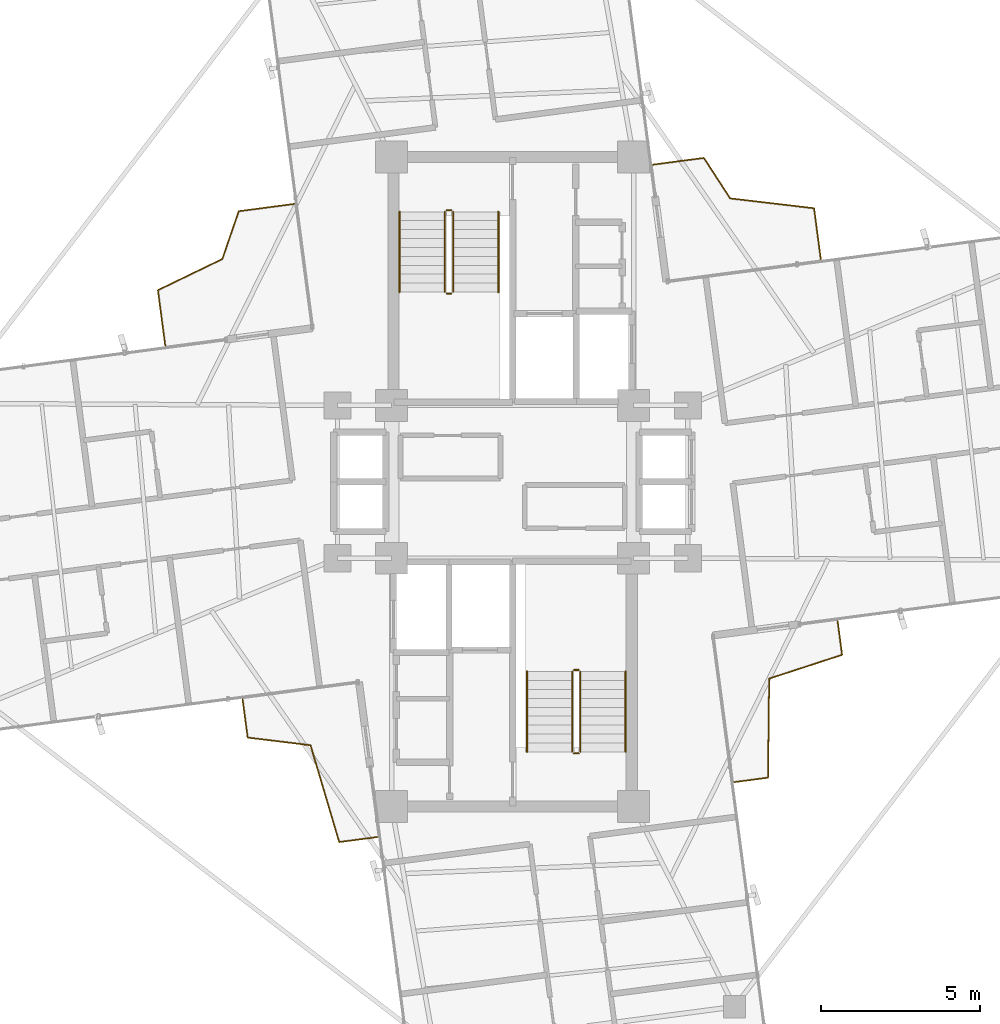
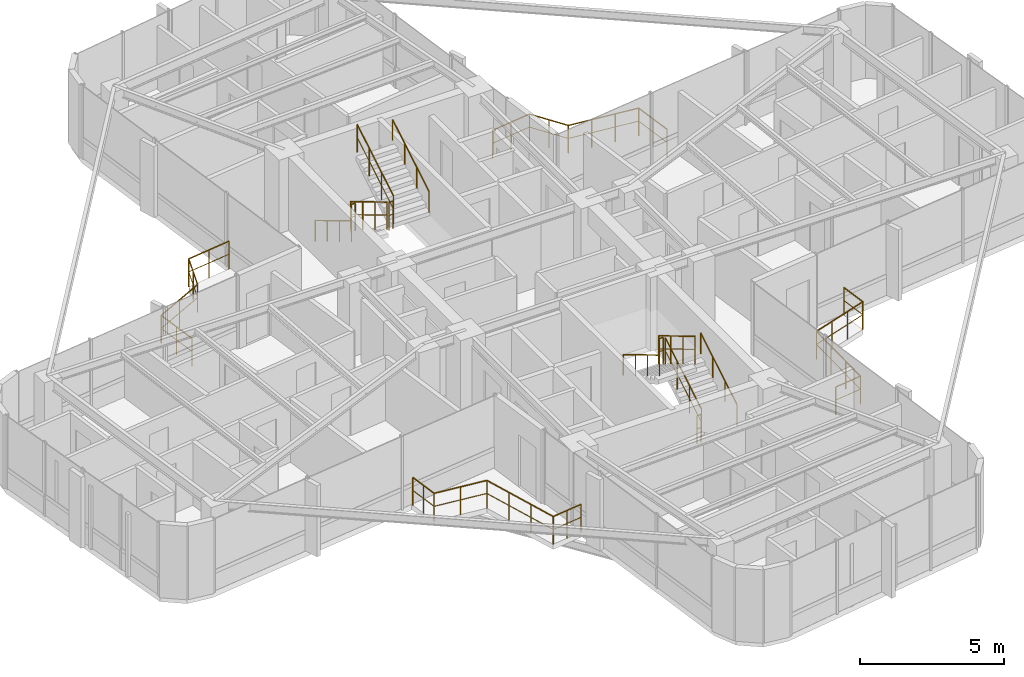
# One storey, part 23 of 23: 16 railings.
"""IFC4 building model written with IfcOpenShell, lengths in metres."""

from ifc_helpers import new_model, si_unit, direction, frame, origin, origin_2d, place, context, subcontext, project, spatial, circle, extrude, material, type_object, element, save


model = new_model("IFC4")

# Units and contexts
model_context = context("Model", 3, precision=1e-05, world=origin(), true_north=direction((0.0, 1.0)))
body_context = subcontext(model_context, "Body", "Model", "MODEL_VIEW")
ifc_project = project(units=[si_unit("LENGTHUNIT", "METRE"), si_unit("AREAUNIT", "SQUARE_METRE"), si_unit("VOLUMEUNIT", "CUBIC_METRE"), si_unit("PLANEANGLEUNIT", "RADIAN"), si_unit("MASSUNIT", "GRAM", prefix="KILO")], contexts=[model_context])

# Site, building, storey
site_placement = place(None, origin())
site = spatial("IfcSite", under=ifc_project, at=site_placement, CompositionType="ELEMENT")
building_placement = place(site_placement, origin())
building = spatial("IfcBuilding", under=site, at=building_placement, Name="Sahyath Konkavel Grand Hotel", CompositionType="ELEMENT")
storey_placement = place(building_placement, frame((0.0, 0.0, 254.550048828125)))
storey = spatial("IfcBuildingStorey", under=building, at=storey_placement, Name="L71", CompositionType="ELEMENT", Elevation=254.550048828125)

# Railings
ifc_material_1 = material(Name="Anodised Bronze Aluminium", Category="aluminium")
railing_type_1 = type_object("IfcRailingType", Name="RLG-BALC-1200", PredefinedType="GUARDRAIL", material=ifc_material_1)
railing_1_placement = place(storey_placement, frame((9.677734375, 6.987060546875, 0.0)))
element("IfcRailing", 1, at=railing_1_placement, inside=storey, type_object=railing_type_1, Name="L71 Winter-Garden Guard NE", PredefinedType="GUARDRAIL", context=body_context, shape_type="SweptSolid", body=[
    extrude(circle(Radius=0.02392578125, at=origin_2d()), frame((-0.000244140625, 0.001953125, 1.17578125), z_axis=(-0.130403757087, 0.991460972574, 0.0), x_axis=(-0.991460972574, -0.130403757087, 0.0)), (0.0, 0.0, 1.0), 1.613525390625),
    extrude(circle(Radius=0.01416015625, at=origin_2d()), frame((-0.000244140625, 0.001953125, 0.6240234375), z_axis=(-0.130403757087, 0.991460972574, 0.0), x_axis=(-0.991460972574, -0.130403757087, 0.0)), (0.0, 0.0, 1.0), 1.613525390625),
    extrude(circle(Radius=0.02392578125, at=origin_2d()), frame((-0.212890625, 1.60400390625, 1.17578125), z_axis=(-0.99312232426, 0.11708137792, 0.0), x_axis=(-0.11708137792, -0.99312232426, 0.0)), (0.0, 0.0, 1.0), 2.650390625),
    extrude(circle(Radius=0.01416015625, at=origin_2d()), frame((-0.212890625, 1.60400390625, 0.6240234375), z_axis=(-0.99312232426, 0.11708137792, 0.0), x_axis=(-0.11708137792, -0.99312232426, 0.0)), (0.0, 0.0, 1.0), 2.650390625),
    extrude(circle(Radius=0.02392578125, at=origin_2d()), frame((-2.84814453125, 1.916259765625, 1.17578125), z_axis=(-0.544767390458, 0.83858719898, 0.0), x_axis=(-0.83858719898, -0.544767390458, 0.0)), (0.0, 0.0, 1.0), 1.5107421875),
    extrude(circle(Radius=0.01416015625, at=origin_2d()), frame((-2.84814453125, 1.916259765625, 0.6240234375), z_axis=(-0.544767390458, 0.83858719898, 0.0), x_axis=(-0.83858719898, -0.544767390458, 0.0)), (0.0, 0.0, 1.0), 1.5107421875),
    extrude(circle(Radius=0.02392578125, at=origin_2d()), frame((-3.67431640625, 3.1845703125, 1.17578125), z_axis=(-0.991441448047, -0.130552116389, 0.0), x_axis=(0.130552116389, -0.991441448047, 0.0)), (0.0, 0.0, 1.0), 1.613525390625),
    extrude(circle(Radius=0.01416015625, at=origin_2d()), frame((-3.67431640625, 3.1845703125, 0.6240234375), z_axis=(-0.991441448047, -0.130552116389, 0.0), x_axis=(0.130552116389, -0.991441448047, 0.0)), (0.0, 0.0, 1.0), 1.613525390625),
    extrude(circle(Radius=0.02099609375, at=origin_2d()), origin(), (0.0, 0.0, 1.0), 1.15185546875),
    extrude(circle(Radius=0.02099609375, at=origin_2d()), frame((-0.10546875, 0.8017578125, 0.0)), (0.0, 0.0, 1.0), 1.15185546875),
    extrude(circle(Radius=0.02099609375, at=origin_2d()), frame((-0.2109375, 1.603759765625, 0.0)), (0.0, 0.0, 1.0), 1.15185546875),
    extrude(circle(Radius=0.02099609375, at=origin_2d()), frame((-1.089599609375, 1.707275390625, 0.0)), (0.0, 0.0, 1.0), 1.15185546875),
    extrude(circle(Radius=0.02099609375, at=origin_2d()), frame((-1.968505859375, 1.81103515625, 0.0)), (0.0, 0.0, 1.0), 1.15185546875),
    extrude(circle(Radius=0.02099609375, at=origin_2d()), frame((-2.84716796875, 1.91455078125, 0.0)), (0.0, 0.0, 1.0), 1.15185546875),
    extrude(circle(Radius=0.02099609375, at=origin_2d()), frame((-3.259765625, 2.5498046875, 0.0)), (0.0, 0.0, 1.0), 1.15185546875),
    extrude(circle(Radius=0.02099609375, at=origin_2d()), frame((-3.67236328125, 3.184814453125, 0.0)), (0.0, 0.0, 1.0), 1.15185546875),
    extrude(circle(Radius=0.02099609375, at=origin_2d()), frame((-4.47412109375, 3.0791015625, 0.0)), (0.0, 0.0, 1.0), 1.15185546875),
    extrude(circle(Radius=0.02099609375, at=origin_2d()), frame((-5.276123046875, 2.9736328125, 0.0)), (0.0, 0.0, 1.0), 1.15185546875),
])
railing_2_placement = place(storey_placement, frame((-6.86181640625, 8.72705078125, 0.0)))
element("IfcRailing", 2, at=railing_2_placement, inside=storey, type_object=railing_type_1, Name="L71 Winter-Garden Guard NW", PredefinedType="GUARDRAIL", context=body_context, shape_type="SweptSolid", body=[
    extrude(circle(Radius=0.02392578125, at=origin_2d()), frame((-0.001953125, -0.000244140625, 1.17578125), z_axis=(-0.991446251103, -0.130515635747, 0.0), x_axis=(0.130515635747, -0.991446251103, 0.0)), (0.0, 0.0, 1.0), 1.75244140625),
    extrude(circle(Radius=0.01416015625, at=origin_2d()), frame((-0.001953125, -0.000244140625, 0.6240234375), z_axis=(-0.991446251103, -0.130515635747, 0.0), x_axis=(0.130515635747, -0.991446251103, 0.0)), (0.0, 0.0, 1.0), 1.75244140625),
    extrude(circle(Radius=0.02392578125, at=origin_2d()), frame((-1.7421875, -0.231201171875, 1.17578125), z_axis=(-0.324568139383, -0.945862317093, 0.0), x_axis=(0.945862317093, -0.324568139383, 0.0)), (0.0, 0.0, 1.0), 1.583251953125),
    extrude(circle(Radius=0.01416015625, at=origin_2d()), frame((-1.7421875, -0.231201171875, 0.6240234375), z_axis=(-0.324568139383, -0.945862317093, 0.0), x_axis=(0.945862317093, -0.324568139383, 0.0)), (0.0, 0.0, 1.0), 1.583251953125),
    extrude(circle(Radius=0.02392578125, at=origin_2d()), frame((-2.25830078125, -1.7314453125, 1.17578125), z_axis=(-0.900133138598, -0.435614890468, 0.0), x_axis=(0.435614890468, -0.900133138598, 0.0)), (0.0, 0.0, 1.0), 2.242919921875),
    extrude(circle(Radius=0.01416015625, at=origin_2d()), frame((-2.25830078125, -1.7314453125, 0.6240234375), z_axis=(-0.900133138598, -0.435614890468, 0.0), x_axis=(0.435614890468, -0.900133138598, 0.0)), (0.0, 0.0, 1.0), 2.242919921875),
    extrude(circle(Radius=0.02392578125, at=origin_2d()), frame((-4.27880859375, -2.711181640625, 1.17578125), z_axis=(0.130515635747, -0.991446251103, 0.0), x_axis=(0.991446251103, 0.130515635747, 0.0)), (0.0, 0.0, 1.0), 1.75244140625),
    extrude(circle(Radius=0.01416015625, at=origin_2d()), frame((-4.27880859375, -2.711181640625, 0.6240234375), z_axis=(0.130515635747, -0.991446251103, 0.0), x_axis=(0.991446251103, 0.130515635747, 0.0)), (0.0, 0.0, 1.0), 1.75244140625),
    extrude(circle(Radius=0.02099609375, at=origin_2d()), origin(), (0.0, 0.0, 1.0), 1.15185546875),
    extrude(circle(Radius=0.02099609375, at=origin_2d()), frame((-0.87060546875, -0.11474609375, 0.0)), (0.0, 0.0, 1.0), 1.15185546875),
    extrude(circle(Radius=0.02099609375, at=origin_2d()), frame((-1.741455078125, -0.229248046875, 0.0)), (0.0, 0.0, 1.0), 1.15185546875),
    extrude(circle(Radius=0.02099609375, at=origin_2d()), frame((-1.9990234375, -0.97998046875, 0.0)), (0.0, 0.0, 1.0), 1.15185546875),
    extrude(circle(Radius=0.02099609375, at=origin_2d()), frame((-2.256591796875, -1.73046875, 0.0)), (0.0, 0.0, 1.0), 1.15185546875),
    extrude(circle(Radius=0.02099609375, at=origin_2d()), frame((-3.267822265625, -2.2197265625, 0.0)), (0.0, 0.0, 1.0), 1.15185546875),
    extrude(circle(Radius=0.02099609375, at=origin_2d()), frame((-4.279052734375, -2.709228515625, 0.0)), (0.0, 0.0, 1.0), 1.15185546875),
    extrude(circle(Radius=0.02099609375, at=origin_2d()), frame((-4.16455078125, -3.580078125, 0.0)), (0.0, 0.0, 1.0), 1.15185546875),
    extrude(circle(Radius=0.02099609375, at=origin_2d()), frame((-4.0498046875, -4.45068359375, 0.0)), (0.0, 0.0, 1.0), 1.15185546875),
])
railing_3_placement = place(storey_placement, frame((-8.482177734375, -6.82958984375, 0.0)))
element("IfcRailing", 3, at=railing_3_placement, inside=storey, type_object=railing_type_1, Name="L71 Winter-Garden Guard SW", PredefinedType="GUARDRAIL", context=body_context, shape_type="SweptSolid", body=[
    extrude(circle(Radius=0.02392578125, at=origin_2d()), frame((0.000244140625, -0.001953125, 1.17578125), z_axis=(0.130662507828, -0.99142690555, 0.0), x_axis=(0.99142690555, 0.130662507828, 0.0)), (0.0, 0.0, 1.0), 1.21044921875),
    extrude(circle(Radius=0.01416015625, at=origin_2d()), frame((0.000244140625, -0.001953125, 0.6240234375), z_axis=(0.130662507828, -0.99142690555, 0.0), x_axis=(0.99142690555, 0.130662507828, 0.0)), (0.0, 0.0, 1.0), 1.21044921875),
    extrude(circle(Radius=0.02392578125, at=origin_2d()), frame((0.16064453125, -1.204345703125, 1.17578125), z_axis=(0.992713334781, -0.120499937547, 0.0), x_axis=(0.120499937547, 0.992713334781, 0.0)), (0.0, 0.0, 1.0), 1.985595703125),
    extrude(circle(Radius=0.01416015625, at=origin_2d()), frame((0.16064453125, -1.204345703125, 0.6240234375), z_axis=(0.992713334781, -0.120499937547, 0.0), x_axis=(0.120499937547, 0.992713334781, 0.0)), (0.0, 0.0, 1.0), 1.985595703125),
    extrude(circle(Radius=0.02392578125, at=origin_2d()), frame((2.13427734375, -1.44580078125, 1.17578125), z_axis=(0.283857708875, -0.958866414633, 0.0), x_axis=(0.958866414633, 0.283857708875, 0.0)), (0.0, 0.0, 1.0), 3.16796875),
    extrude(circle(Radius=0.01416015625, at=origin_2d()), frame((2.13427734375, -1.44580078125, 0.6240234375), z_axis=(0.283857708875, -0.958866414633, 0.0), x_axis=(0.958866414633, 0.283857708875, 0.0)), (0.0, 0.0, 1.0), 3.16796875),
    extrude(circle(Radius=0.02392578125, at=origin_2d()), frame((3.0361328125, -4.485107421875, 1.17578125), z_axis=(0.991449504363, 0.130490920367, 0.0), x_axis=(-0.130490920367, 0.991449504363, 0.0)), (0.0, 0.0, 1.0), 1.210205078125),
    extrude(circle(Radius=0.01416015625, at=origin_2d()), frame((3.0361328125, -4.485107421875, 0.6240234375), z_axis=(0.991449504363, 0.130490920367, 0.0), x_axis=(-0.130490920367, 0.991449504363, 0.0)), (0.0, 0.0, 1.0), 1.210205078125),
    extrude(circle(Radius=0.02099609375, at=origin_2d()), origin(), (0.0, 0.0, 1.0), 1.15185546875),
    extrude(circle(Radius=0.02099609375, at=origin_2d()), frame((0.079345703125, -0.60205078125, 0.0)), (0.0, 0.0, 1.0), 1.15185546875),
    extrude(circle(Radius=0.02099609375, at=origin_2d()), frame((0.15869140625, -1.2041015625, 0.0)), (0.0, 0.0, 1.0), 1.15185546875),
    extrude(circle(Radius=0.02099609375, at=origin_2d()), frame((1.146240234375, -1.323974609375, 0.0)), (0.0, 0.0, 1.0), 1.15185546875),
    extrude(circle(Radius=0.02099609375, at=origin_2d()), frame((2.1337890625, -1.44384765625, 0.0)), (0.0, 0.0, 1.0), 1.15185546875),
    extrude(circle(Radius=0.02099609375, at=origin_2d()), frame((2.433837890625, -2.457763671875, 0.0)), (0.0, 0.0, 1.0), 1.15185546875),
    extrude(circle(Radius=0.02099609375, at=origin_2d()), frame((2.734130859375, -3.471435546875, 0.0)), (0.0, 0.0, 1.0), 1.15185546875),
    extrude(circle(Radius=0.02099609375, at=origin_2d()), frame((3.0341796875, -4.4853515625, 0.0)), (0.0, 0.0, 1.0), 1.15185546875),
    extrude(circle(Radius=0.02099609375, at=origin_2d()), frame((3.63623046875, -4.40625, 0.0)), (0.0, 0.0, 1.0), 1.15185546875),
    extrude(circle(Radius=0.02099609375, at=origin_2d()), frame((4.238037109375, -4.326904296875, 0.0)), (0.0, 0.0, 1.0), 1.15185546875),
])
railing_4_placement = place(storey_placement, frame((6.95458984375, -9.43310546875, 0.0)))
element("IfcRailing", 4, at=railing_4_placement, inside=storey, type_object=railing_type_1, Name="L71 Winter-Garden Guard SE", PredefinedType="GUARDRAIL", context=body_context, shape_type="SweptSolid", body=[
    extrude(circle(Radius=0.02392578125, at=origin_2d()), frame((0.001953125, 0.000244140625, 1.17578125), z_axis=(0.991417173479, 0.130736330569, 0.0), x_axis=(-0.130736330569, 0.991417173479, 0.0)), (0.0, 0.0, 1.0), 1.071533203125),
    extrude(circle(Radius=0.01416015625, at=origin_2d()), frame((0.001953125, 0.000244140625, 0.6240234375), z_axis=(0.991417173479, 0.130736330569, 0.0), x_axis=(-0.130736330569, 0.991417173479, 0.0)), (0.0, 0.0, 1.0), 1.071533203125),
    extrude(circle(Radius=0.02392578125, at=origin_2d()), frame((1.06640625, 0.142578125, 1.17578125), z_axis=(0.0115385991, 0.999933428149, 0.0), x_axis=(-0.999933428149, 0.0115385991, 0.0)), (0.0, 0.0, 1.0), 3.106201171875),
    extrude(circle(Radius=0.01416015625, at=origin_2d()), frame((1.06640625, 0.142578125, 0.6240234375), z_axis=(0.0115385991, 0.999933428149, 0.0), x_axis=(-0.999933428149, 0.0115385991, 0.0)), (0.0, 0.0, 1.0), 3.106201171875),
    extrude(circle(Radius=0.02392578125, at=origin_2d()), frame((1.104248046875, 3.25146484375, 1.17578125), z_axis=(0.950681750854, 0.310168032835, 0.0), x_axis=(-0.310168032835, 0.950681750854, 0.0)), (0.0, 0.0, 1.0), 2.40380859375),
    extrude(circle(Radius=0.01416015625, at=origin_2d()), frame((1.104248046875, 3.25146484375, 0.6240234375), z_axis=(0.950681750854, 0.310168032835, 0.0), x_axis=(-0.310168032835, 0.950681750854, 0.0)), (0.0, 0.0, 1.0), 2.40380859375),
    extrude(circle(Radius=0.02392578125, at=origin_2d()), frame((3.39111328125, 3.99951171875, 1.17578125), z_axis=(-0.130542604263, 0.991442700549, 0.0), x_axis=(-0.991442700549, -0.130542604263, 0.0)), (0.0, 0.0, 1.0), 1.0712890625),
    extrude(circle(Radius=0.01416015625, at=origin_2d()), frame((3.39111328125, 3.99951171875, 0.6240234375), z_axis=(-0.130542604263, 0.991442700549, 0.0), x_axis=(-0.991442700549, -0.130542604263, 0.0)), (0.0, 0.0, 1.0), 1.0712890625),
    extrude(circle(Radius=0.02099609375, at=origin_2d()), origin(), (0.0, 0.0, 1.0), 1.15185546875),
    extrude(circle(Radius=0.02099609375, at=origin_2d()), frame((1.06640625, 0.140625, 0.0)), (0.0, 0.0, 1.0), 1.15185546875),
    extrude(circle(Radius=0.02099609375, at=origin_2d()), frame((1.078369140625, 1.17724609375, 0.0)), (0.0, 0.0, 1.0), 1.15185546875),
    extrude(circle(Radius=0.02099609375, at=origin_2d()), frame((1.09033203125, 2.214111328125, 0.0)), (0.0, 0.0, 1.0), 1.15185546875),
    extrude(circle(Radius=0.02099609375, at=origin_2d()), frame((1.102294921875, 3.250732421875, 0.0)), (0.0, 0.0, 1.0), 1.15185546875),
    extrude(circle(Radius=0.02099609375, at=origin_2d()), frame((1.865234375, 3.499755859375, 0.0)), (0.0, 0.0, 1.0), 1.15185546875),
    extrude(circle(Radius=0.02099609375, at=origin_2d()), frame((2.62841796875, 3.74853515625, 0.0)), (0.0, 0.0, 1.0), 1.15185546875),
    extrude(circle(Radius=0.02099609375, at=origin_2d()), frame((3.391357421875, 3.99755859375, 0.0)), (0.0, 0.0, 1.0), 1.15185546875),
    extrude(circle(Radius=0.02099609375, at=origin_2d()), frame((3.2509765625, 5.063720703125, 0.0)), (0.0, 0.0, 1.0), 1.15185546875),
])
ifc_material_2 = material(Name="Steel E350", Category="steel")
railing_type_2 = type_object("IfcRailingType", Name="RLG-STAIR-GRD", PredefinedType="GUARDRAIL", material=ifc_material_2)
railing_5_placement = place(storey_placement, frame((-2.1298828125, 8.47998046875, 0.16748046875)))
element("IfcRailing", 5, at=railing_5_placement, inside=storey, type_object=railing_type_2, Name="L71 ST-1 stair guard 1", PredefinedType="GUARDRAIL", context=body_context, shape_type="SweptSolid", body=[
    extrude(circle(Radius=0.02392578125, at=origin_2d()), frame((0.0, -0.001708984375, 1.177001953125), z_axis=(0.0, -0.858159760407, 0.513382728203), x_axis=(1.0, 0.0, 0.0)), (0.0, 0.0, 1.0), 2.9326171875),
    extrude(circle(Radius=0.01416015625, at=origin_2d()), frame((0.0, -0.001708984375, 0.625), z_axis=(0.0, -0.858159760407, 0.513382728203), x_axis=(1.0, 0.0, 0.0)), (0.0, 0.0, 1.0), 2.9326171875),
    extrude(circle(Radius=0.02099609375, at=origin_2d()), origin(), (0.0, 0.0, 1.0), 1.15185546875),
    extrude(circle(Radius=0.02099609375, at=origin_2d()), frame((0.0, -0.840087890625, 0.50244140625)), (0.0, 0.0, 1.0), 1.15185546875),
    extrude(circle(Radius=0.02099609375, at=origin_2d()), frame((0.0, -1.679931640625, 1.005126953125)), (0.0, 0.0, 1.0), 1.15185546875),
    extrude(circle(Radius=0.02099609375, at=origin_2d()), frame((0.0, -2.52001953125, 1.507568359375)), (0.0, 0.0, 1.0), 1.15185546875),
])
railing_6_placement = place(storey_placement, frame((-2.080078125, 5.909912109375, 1.675048828125)))
element("IfcRailing", 6, at=railing_6_placement, inside=storey, type_object=railing_type_2, Name="L71 ST-1 stair guard 2", PredefinedType="GUARDRAIL", context=body_context, shape_type="SweptSolid", body=[
    extrude(circle(Radius=0.02392578125, at=origin_2d()), frame((0.001953125, 0.0, 1.17578125), z_axis=(1.0, 0.0, 0.0), x_axis=(0.0, 1.0, 0.0)), (0.0, 0.0, 1.0), 0.15625),
    extrude(circle(Radius=0.01416015625, at=origin_2d()), frame((0.001953125, 0.0, 0.6240234375), z_axis=(1.0, 0.0, 0.0), x_axis=(0.0, 1.0, 0.0)), (0.0, 0.0, 1.0), 0.15625),
    extrude(circle(Radius=0.02099609375, at=origin_2d()), origin(), (0.0, 0.0, 1.0), 1.15185546875),
    extrude(circle(Radius=0.02099609375, at=origin_2d()), frame((0.16015625, 0.0, 0.0)), (0.0, 0.0, 1.0), 1.15185546875),
])
railing_7_placement = place(storey_placement, frame((-1.8701171875, 5.9599609375, 1.842529296875)))
element("IfcRailing", 7, at=railing_7_placement, inside=storey, type_object=railing_type_2, Name="L71 ST-1 stair guard 3", PredefinedType="GUARDRAIL", context=body_context, shape_type="SweptSolid", body=[
    extrude(circle(Radius=0.02392578125, at=origin_2d()), frame((0.0, 0.001708984375, 1.177001953125), z_axis=(0.0, 0.858196387827, 0.513321497621), x_axis=(-1.0, 0.0, 0.0)), (0.0, 0.0, 1.0), 2.932373046875),
    extrude(circle(Radius=0.01416015625, at=origin_2d()), frame((0.0, 0.001708984375, 0.625), z_axis=(0.0, 0.858196387827, 0.513321497621), x_axis=(-1.0, 0.0, 0.0)), (0.0, 0.0, 1.0), 2.932373046875),
    extrude(circle(Radius=0.02099609375, at=origin_2d()), origin(), (0.0, 0.0, 1.0), 1.15185546875),
    extrude(circle(Radius=0.02099609375, at=origin_2d()), frame((0.0, 0.840087890625, 0.50244140625)), (0.0, 0.0, 1.0), 1.15185546875),
    extrude(circle(Radius=0.02099609375, at=origin_2d()), frame((0.0, 1.679931640625, 1.0048828125)), (0.0, 0.0, 1.0), 1.15185546875),
    extrude(circle(Radius=0.02099609375, at=origin_2d()), frame((0.0, 2.52001953125, 1.50732421875)), (0.0, 0.0, 1.0), 1.15185546875),
])
railing_8_placement = place(storey_placement, frame((-2.080078125, 8.530029296875, 0.0)))
element("IfcRailing", 8, at=railing_8_placement, inside=storey, type_object=railing_type_2, Name="L71 ST-1 stair guard 4", PredefinedType="GUARDRAIL", context=body_context, shape_type="SweptSolid", body=[
    extrude(circle(Radius=0.02392578125, at=origin_2d()), frame((0.001953125, 0.0, 1.17578125), z_axis=(1.0, 0.0, 0.0), x_axis=(0.0, 1.0, 0.0)), (0.0, 0.0, 1.0), 0.15625),
    extrude(circle(Radius=0.01416015625, at=origin_2d()), frame((0.001953125, 0.0, 0.6240234375), z_axis=(1.0, 0.0, 0.0), x_axis=(0.0, 1.0, 0.0)), (0.0, 0.0, 1.0), 0.15625),
    extrude(circle(Radius=0.02099609375, at=origin_2d()), origin(), (0.0, 0.0, 1.0), 1.15185546875),
    extrude(circle(Radius=0.02099609375, at=origin_2d()), frame((0.16015625, 0.0, 0.0)), (0.0, 0.0, 1.0), 1.15185546875),
])
railing_9_placement = place(storey_placement, frame((2.1298828125, -8.47998046875, 0.16748046875)))
element("IfcRailing", 9, at=railing_9_placement, inside=storey, type_object=railing_type_2, Name="L71 ST-2 stair guard 1", PredefinedType="GUARDRAIL", context=body_context, shape_type="SweptSolid", body=[
    extrude(circle(Radius=0.02392578125, at=origin_2d()), frame((0.0, 0.001708984375, 1.177001953125), z_axis=(0.0, 0.858159760407, 0.513382728203), x_axis=(-1.0, 0.0, 0.0)), (0.0, 0.0, 1.0), 2.9326171875),
    extrude(circle(Radius=0.01416015625, at=origin_2d()), frame((0.0, 0.001708984375, 0.625), z_axis=(0.0, 0.858159760407, 0.513382728203), x_axis=(-1.0, 0.0, 0.0)), (0.0, 0.0, 1.0), 2.9326171875),
    extrude(circle(Radius=0.02099609375, at=origin_2d()), origin(), (0.0, 0.0, 1.0), 1.15185546875),
    extrude(circle(Radius=0.02099609375, at=origin_2d()), frame((0.0, 0.840087890625, 0.50244140625)), (0.0, 0.0, 1.0), 1.15185546875),
    extrude(circle(Radius=0.02099609375, at=origin_2d()), frame((0.0, 1.679931640625, 1.005126953125)), (0.0, 0.0, 1.0), 1.15185546875),
    extrude(circle(Radius=0.02099609375, at=origin_2d()), frame((0.0, 2.52001953125, 1.507568359375)), (0.0, 0.0, 1.0), 1.15185546875),
])
railing_10_placement = place(storey_placement, frame((2.080078125, -5.909912109375, 1.675048828125)))
element("IfcRailing", 10, at=railing_10_placement, inside=storey, type_object=railing_type_2, Name="L71 ST-2 stair guard 2", PredefinedType="GUARDRAIL", context=body_context, shape_type="SweptSolid", body=[
    extrude(circle(Radius=0.02392578125, at=origin_2d()), frame((-0.001953125, 0.0, 1.17578125), z_axis=(-1.0, 0.0, 0.0), x_axis=(0.0, -1.0, 0.0)), (0.0, 0.0, 1.0), 0.15625),
    extrude(circle(Radius=0.01416015625, at=origin_2d()), frame((-0.001953125, 0.0, 0.6240234375), z_axis=(-1.0, 0.0, 0.0), x_axis=(0.0, -1.0, 0.0)), (0.0, 0.0, 1.0), 0.15625),
    extrude(circle(Radius=0.02099609375, at=origin_2d()), origin(), (0.0, 0.0, 1.0), 1.15185546875),
    extrude(circle(Radius=0.02099609375, at=origin_2d()), frame((-0.16015625, 0.0, 0.0)), (0.0, 0.0, 1.0), 1.15185546875),
])
railing_11_placement = place(storey_placement, frame((1.8701171875, -5.9599609375, 1.842529296875)))
element("IfcRailing", 11, at=railing_11_placement, inside=storey, type_object=railing_type_2, Name="L71 ST-2 stair guard 3", PredefinedType="GUARDRAIL", context=body_context, shape_type="SweptSolid", body=[
    extrude(circle(Radius=0.02392578125, at=origin_2d()), frame((0.0, -0.001708984375, 1.177001953125), z_axis=(0.0, -0.858196387827, 0.513321497621), x_axis=(1.0, 0.0, 0.0)), (0.0, 0.0, 1.0), 2.932373046875),
    extrude(circle(Radius=0.01416015625, at=origin_2d()), frame((0.0, -0.001708984375, 0.625), z_axis=(0.0, -0.858196387827, 0.513321497621), x_axis=(1.0, 0.0, 0.0)), (0.0, 0.0, 1.0), 2.932373046875),
    extrude(circle(Radius=0.02099609375, at=origin_2d()), origin(), (0.0, 0.0, 1.0), 1.15185546875),
    extrude(circle(Radius=0.02099609375, at=origin_2d()), frame((0.0, -0.840087890625, 0.50244140625)), (0.0, 0.0, 1.0), 1.15185546875),
    extrude(circle(Radius=0.02099609375, at=origin_2d()), frame((0.0, -1.679931640625, 1.0048828125)), (0.0, 0.0, 1.0), 1.15185546875),
    extrude(circle(Radius=0.02099609375, at=origin_2d()), frame((0.0, -2.52001953125, 1.50732421875)), (0.0, 0.0, 1.0), 1.15185546875),
])
railing_12_placement = place(storey_placement, frame((2.080078125, -8.530029296875, 0.0)))
element("IfcRailing", 12, at=railing_12_placement, inside=storey, type_object=railing_type_2, Name="L71 ST-2 stair guard 4", PredefinedType="GUARDRAIL", context=body_context, shape_type="SweptSolid", body=[
    extrude(circle(Radius=0.02392578125, at=origin_2d()), frame((-0.001953125, 0.0, 1.17578125), z_axis=(-1.0, 0.0, 0.0), x_axis=(0.0, -1.0, 0.0)), (0.0, 0.0, 1.0), 0.15625),
    extrude(circle(Radius=0.01416015625, at=origin_2d()), frame((-0.001953125, 0.0, 0.6240234375), z_axis=(-1.0, 0.0, 0.0), x_axis=(0.0, -1.0, 0.0)), (0.0, 0.0, 1.0), 0.15625),
    extrude(circle(Radius=0.02099609375, at=origin_2d()), origin(), (0.0, 0.0, 1.0), 1.15185546875),
    extrude(circle(Radius=0.02099609375, at=origin_2d()), frame((-0.16015625, 0.0, 0.0)), (0.0, 0.0, 1.0), 1.15185546875),
])
railing_type_3 = type_object("IfcRailingType", Name="RLG-STAIR-HND", PredefinedType="HANDRAIL", material=ifc_material_1)
railing_13_placement = place(storey_placement, frame((-3.550048828125, 8.47998046875, 0.16748046875)))
element("IfcRailing", 13, at=railing_13_placement, inside=storey, type_object=railing_type_3, Name="L71 ST-1 stair handrail 1", PredefinedType="HANDRAIL", context=body_context, shape_type="SweptSolid", body=[
    extrude(circle(Radius=0.02392578125, at=origin_2d()), frame((0.0, -0.001708984375, 0.876953125), z_axis=(0.0, -0.858159760407, 0.513382728203), x_axis=(1.0, 0.0, 0.0)), (0.0, 0.0, 1.0), 2.9326171875),
    extrude(circle(Radius=0.02099609375, at=origin_2d()), origin(), (0.0, 0.0, 1.0), 0.851806640625),
    extrude(circle(Radius=0.02099609375, at=origin_2d()), frame((0.0, -0.840087890625, 0.50244140625)), (0.0, 0.0, 1.0), 0.851806640625),
    extrude(circle(Radius=0.02099609375, at=origin_2d()), frame((0.0, -1.679931640625, 1.005126953125)), (0.0, 0.0, 1.0), 0.851806640625),
    extrude(circle(Radius=0.02099609375, at=origin_2d()), frame((0.0, -2.52001953125, 1.507568359375)), (0.0, 0.0, 1.0), 0.851806640625),
])
railing_14_placement = place(storey_placement, frame((-0.449951171875, 5.9599609375, 1.842529296875)))
element("IfcRailing", 14, at=railing_14_placement, inside=storey, type_object=railing_type_3, Name="L71 ST-1 stair handrail 2", PredefinedType="HANDRAIL", context=body_context, shape_type="SweptSolid", body=[
    extrude(circle(Radius=0.02392578125, at=origin_2d()), frame((0.0, 0.001708984375, 0.876953125), z_axis=(0.0, 0.858196387827, 0.513321497621), x_axis=(-1.0, 0.0, 0.0)), (0.0, 0.0, 1.0), 2.932373046875),
    extrude(circle(Radius=0.02099609375, at=origin_2d()), origin(), (0.0, 0.0, 1.0), 0.851806640625),
    extrude(circle(Radius=0.02099609375, at=origin_2d()), frame((0.0, 0.840087890625, 0.50244140625)), (0.0, 0.0, 1.0), 0.851806640625),
    extrude(circle(Radius=0.02099609375, at=origin_2d()), frame((0.0, 1.679931640625, 1.0048828125)), (0.0, 0.0, 1.0), 0.851806640625),
    extrude(circle(Radius=0.02099609375, at=origin_2d()), frame((0.0, 2.52001953125, 1.50732421875)), (0.0, 0.0, 1.0), 0.851806640625),
])
railing_15_placement = place(storey_placement, frame((3.550048828125, -8.47998046875, 0.16748046875)))
element("IfcRailing", 15, at=railing_15_placement, inside=storey, type_object=railing_type_3, Name="L71 ST-2 stair handrail 1", PredefinedType="HANDRAIL", context=body_context, shape_type="SweptSolid", body=[
    extrude(circle(Radius=0.02392578125, at=origin_2d()), frame((0.0, 0.001708984375, 0.876953125), z_axis=(0.0, 0.858159760407, 0.513382728203), x_axis=(-1.0, 0.0, 0.0)), (0.0, 0.0, 1.0), 2.9326171875),
    extrude(circle(Radius=0.02099609375, at=origin_2d()), origin(), (0.0, 0.0, 1.0), 0.851806640625),
    extrude(circle(Radius=0.02099609375, at=origin_2d()), frame((0.0, 0.840087890625, 0.50244140625)), (0.0, 0.0, 1.0), 0.851806640625),
    extrude(circle(Radius=0.02099609375, at=origin_2d()), frame((0.0, 1.679931640625, 1.005126953125)), (0.0, 0.0, 1.0), 0.851806640625),
    extrude(circle(Radius=0.02099609375, at=origin_2d()), frame((0.0, 2.52001953125, 1.507568359375)), (0.0, 0.0, 1.0), 0.851806640625),
])
railing_16_placement = place(storey_placement, frame((0.449951171875, -5.9599609375, 1.842529296875)))
element("IfcRailing", 16, at=railing_16_placement, inside=storey, type_object=railing_type_3, Name="L71 ST-2 stair handrail 2", PredefinedType="HANDRAIL", context=body_context, shape_type="SweptSolid", body=[
    extrude(circle(Radius=0.02392578125, at=origin_2d()), frame((0.0, -0.001708984375, 0.876953125), z_axis=(0.0, -0.858196387827, 0.513321497621), x_axis=(1.0, 0.0, 0.0)), (0.0, 0.0, 1.0), 2.932373046875),
    extrude(circle(Radius=0.02099609375, at=origin_2d()), origin(), (0.0, 0.0, 1.0), 0.851806640625),
    extrude(circle(Radius=0.02099609375, at=origin_2d()), frame((0.0, -0.840087890625, 0.50244140625)), (0.0, 0.0, 1.0), 0.851806640625),
    extrude(circle(Radius=0.02099609375, at=origin_2d()), frame((0.0, -1.679931640625, 1.0048828125)), (0.0, 0.0, 1.0), 0.851806640625),
    extrude(circle(Radius=0.02099609375, at=origin_2d()), frame((0.0, -2.52001953125, 1.50732421875)), (0.0, 0.0, 1.0), 0.851806640625),
])

save(model, "model.ifc")
